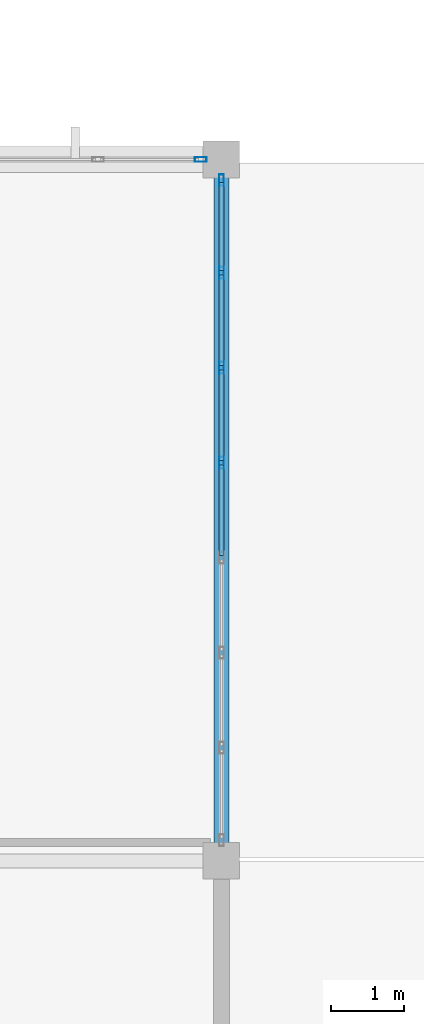
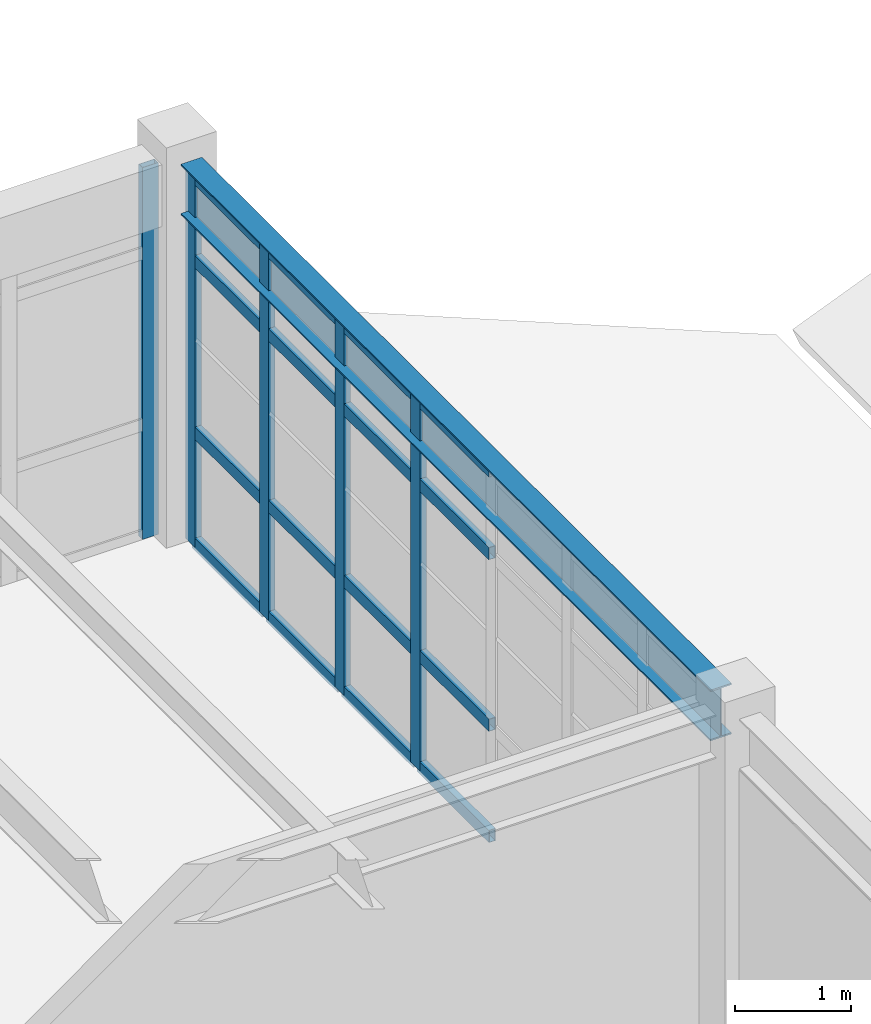
# One storey, part 22 of 83: 21 members, 1 beam, 2 elements without a shape of their own.
"""IFC4 building model written with IfcOpenShell, lengths in metres."""

import ifcopenshell
import ifcopenshell.guid

model = None  # the IFC model being written
_history = None  # IfcOwnerHistory: only IFC2X3 demands one
_inside = {}  # id of a spatial element -> (the spatial element, [elements in it])
_under = {}  # id of a project, library or spatial element -> (it, [spatial elements below it])
_declared = {}  # id of a project -> (the project, [libraries it declares])
_typed = {}  # id of a type object -> (the type object, [elements of that type])
_made_of = {}  # id of a material, layer set ... -> (it, [elements and type objects made of it])


def new_model(schema):
    """Start an empty IFC model of exactly this schema.

    Asked for "IFC4X3", IfcOpenShell would pick the latest addendum, in which some entities
    have other attributes; the version numbers below select the first issue.
    IFC2X3 requires an IfcOwnerHistory on every rooted entity: one is made here for all.
    """
    global model, _history
    if schema == "IFC4X3":
        model = ifcopenshell.file(schema_version=(4, 3, 0, 0))
    else:
        model = ifcopenshell.file(schema=schema)
    _inside.clear()
    _under.clear()
    _declared.clear()
    _typed.clear()
    _made_of.clear()
    _history = None
    if model.schema == "IFC2X3":
        org = make("IfcOrganization", Name="unknown")
        user = make(
            "IfcPersonAndOrganization",
            ThePerson=make("IfcPerson", FamilyName="unknown"),
            TheOrganization=org,
        )
        app = make(
            "IfcApplication",
            ApplicationDeveloper=org,
            Version="unknown",
            ApplicationFullName="unknown",
            ApplicationIdentifier="unknown",
        )
        _history = make(
            "IfcOwnerHistory",
            OwningUser=user,
            OwningApplication=app,
            ChangeAction="ADDED",
            CreationDate=0,
        )
    return model


def make(cls, **values):
    """One entity of the class cls with the attributes given. An attribute that is None is left unset."""
    return model.create_entity(
        cls, **{name: value for name, value in values.items() if value is not None}
    )


def rooted(cls, **values):
    """An entity with a GlobalId (a new one), such as an element, a storey or a relation."""
    return make(cls, GlobalId=ifcopenshell.guid.new(), OwnerHistory=_history, **values)


def si_unit(unit_type, name, prefix=None):
    """IfcSIUnit, for example si_unit("LENGTHUNIT", "METRE", prefix="MILLI")."""
    return make("IfcSIUnit", UnitType=unit_type, Prefix=prefix, Name=name)


def assignment(units):
    """IfcUnitAssignment: the units of a project."""
    return None if units is None else make("IfcUnitAssignment", Units=units)


def point(xyz):
    """IfcCartesianPoint."""
    return None if xyz is None else make("IfcCartesianPoint", Coordinates=xyz)


def direction(xyz):
    """IfcDirection."""
    return None if xyz is None else make("IfcDirection", DirectionRatios=xyz)


def frame(location, z_axis=None, x_axis=None):
    """IfcAxis2Placement3D, a coordinate frame: its origin and axes. An axis left out is left unset."""
    return make(
        "IfcAxis2Placement3D",
        Location=point(location),
        Axis=direction(z_axis),
        RefDirection=direction(x_axis),
    )


def frame_2d(location, x_axis=None):
    """IfcAxis2Placement2D, a coordinate frame in the plane: its origin and x axis."""
    return make(
        "IfcAxis2Placement2D", Location=point(location), RefDirection=direction(x_axis)
    )


def origin():
    """The frame at (0, 0, 0) with its axes left unset."""
    return frame((0.0, 0.0, 0.0))


def origin_2d():
    """The frame at (0, 0) in the plane with its x axis left unset."""
    return frame_2d((0.0, 0.0))


def place(relative_to, where):
    """IfcLocalPlacement: puts the frame where relative to a parent placement (None: the world)."""
    return make(
        "IfcLocalPlacement", PlacementRelTo=relative_to, RelativePlacement=where
    )


def context(
    kind, dimensions, precision=None, world=None, true_north=None, identifier=None
):
    """IfcGeometricRepresentationContext, for example the 3D "Model" context."""
    return make(
        "IfcGeometricRepresentationContext",
        ContextIdentifier=identifier,
        ContextType=kind,
        CoordinateSpaceDimension=dimensions,
        Precision=precision,
        WorldCoordinateSystem=world,
        TrueNorth=true_north,
    )


def subcontext(parent, identifier, kind, view, scale=None):
    """IfcGeometricRepresentationSubContext, for example "Body" below "Model"."""
    return make(
        "IfcGeometricRepresentationSubContext",
        ContextIdentifier=identifier,
        ContextType=kind,
        ParentContext=parent,
        TargetScale=scale,
        TargetView=view,
    )


def project(units=None, contexts=None):
    """IfcProject with its units and contexts."""
    return rooted(
        "IfcProject",
        Name="project",
        RepresentationContexts=contexts,
        UnitsInContext=assignment(units),
    )


def spatial(cls, under=None, at=None, **own):
    """A site, building, storey or space (cls), placed at a placement, below another one or the project."""
    s = rooted(cls, ObjectPlacement=at, **own)
    if under is not None:
        _under.setdefault(under.id(), (under, []))[1].append(s)
    return s


def profile(cls, at=None, kind="AREA", **sizes):
    """A parametric profile (cls). Its sizes go by their IFC names, for example OverallWidth=200.0."""
    return make(cls, ProfileType=kind, Position=at, **sizes)


def hollow_rectangle(**sizes):
    """IfcRectangleHollowProfileDef."""
    return profile("IfcRectangleHollowProfileDef", **sizes)


def i_section(**sizes):
    """IfcIShapeProfileDef."""
    return profile("IfcIShapeProfileDef", **sizes)


def extrude(swept, where, along, depth):
    """IfcExtrudedAreaSolid: the profile swept, set in the frame where, extruded along a direction by depth."""
    return make(
        "IfcExtrudedAreaSolid",
        SweptArea=swept,
        Position=where,
        ExtrudedDirection=direction(along),
        Depth=depth,
    )


def shape(context_of_items, identifier, shape_type, items):
    """IfcShapeRepresentation: the items that make up one representation, for example the "Body"."""
    return make(
        "IfcShapeRepresentation",
        ContextOfItems=context_of_items,
        RepresentationIdentifier=identifier,
        RepresentationType=shape_type,
        Items=items,
    )


def material(Name=None, Category=None):
    """IfcMaterial."""
    return make("IfcMaterial", Name=Name, Category=Category)


def layer(
    of_material, thickness, ventilated=None, Name=None, Category=None, Priority=None
):
    """IfcMaterialLayer: one layer of a wall or slab, of a material (None: an air gap)."""
    return make(
        "IfcMaterialLayer",
        Material=of_material,
        LayerThickness=thickness,
        IsVentilated=ventilated,
        Name=Name,
        Category=Category,
        Priority=Priority,
    )


def layer_set(layers, Name=None):
    """IfcMaterialLayerSet."""
    return make("IfcMaterialLayerSet", MaterialLayers=layers, LayerSetName=Name)


def material_profile(
    of_material, cross_section, Name=None, Category=None, Priority=None
):
    """IfcMaterialProfile: a cross section and its material."""
    return make(
        "IfcMaterialProfile",
        Name=Name,
        Material=of_material,
        Profile=cross_section,
        Priority=Priority,
        Category=Category,
    )


def profile_set(profiles, Name=None, composite=None):
    """IfcMaterialProfileSet."""
    return make(
        "IfcMaterialProfileSet",
        Name=Name,
        MaterialProfiles=profiles,
        CompositeProfile=composite,
    )


def made_of(thing, what):
    """Note that an element or type object is made of a material, layer set ...; save() writes the relation."""
    if what is not None:
        _made_of.setdefault(what.id(), (what, []))[1].append(thing)
    return thing


def type_object(cls, material=None, **own):
    """A type object (cls), such as IfcWallType, which elements share."""
    return made_of(rooted(cls, **own), material)


def element(
    cls,
    number,
    at=None,
    inside=None,
    cuts=None,
    type_object=None,
    material=None,
    context=None,
    identifier="Body",
    shape_type=None,
    held_by="IfcProductDefinitionShape",
    body=None,
    shapes=None,
    **own,
):
    """One element of the class cls, such as IfcWall. Its Tag is "e" and its number.

    at: its placement. inside: the storey or other place that contains it. cuts: it is an
    opening in that element (IfcRelVoidsElement). A single representation is given by context,
    identifier, shape_type and body (its items); several are given by shapes. held_by: the class
    of the entity that holds the representations. save() writes the other relations.
    """
    e = rooted(cls, Tag="e%d" % number, ObjectPlacement=at, **own)
    if body is not None:
        shapes = [shape(context, identifier, shape_type, body)]
    if shapes is not None:
        e.Representation = make(held_by, Representations=shapes)
    if inside is not None:
        _inside.setdefault(inside.id(), (inside, []))[1].append(e)
    if cuts is not None:
        rooted(
            "IfcRelVoidsElement", RelatingBuildingElement=cuts, RelatedOpeningElement=e
        )
    if type_object is not None:
        _typed.setdefault(type_object.id(), (type_object, []))[1].append(e)
    return made_of(e, material)


def aggregate(whole, parts):
    """IfcRelAggregates: a whole, such as a stair, and the parts it consists of."""
    return rooted("IfcRelAggregates", RelatingObject=whole, RelatedObjects=parts)


def save(model, path):
    """Write the relations noted so far, then the file.

    IfcRelAggregates (storeys below a building ...), IfcRelContainedInSpatialStructure (elements
    in a storey), IfcRelDefinesByType, IfcRelAssociatesMaterial and IfcRelDeclares: one each for
    every whole, place, type object, material and project.
    """
    for whole, parts in _under.values():
        aggregate(whole, parts)
    for where, things in _inside.values():
        rooted(
            "IfcRelContainedInSpatialStructure",
            RelatedElements=things,
            RelatingStructure=where,
        )
    for kind, things in _typed.values():
        rooted("IfcRelDefinesByType", RelatedObjects=things, RelatingType=kind)
    for what, things in _made_of.values():
        rooted("IfcRelAssociatesMaterial", RelatedObjects=things, RelatingMaterial=what)
    for by, libraries in _declared.values():
        rooted("IfcRelDeclares", RelatingContext=by, RelatedDefinitions=libraries)
    model.write(path)


model = new_model("IFC4")

# Units and contexts
model_context = context("Model", 3, precision=1e-05, world=origin(), true_north=direction((0.0, 1.0)))
body_context = subcontext(model_context, "Body", "Model", "MODEL_VIEW")
ifc_project = project(units=[si_unit("LENGTHUNIT", "METRE"), si_unit("AREAUNIT", "SQUARE_METRE"), si_unit("VOLUMEUNIT", "CUBIC_METRE"), si_unit("PLANEANGLEUNIT", "RADIAN"), si_unit("MASSUNIT", "GRAM", prefix="KILO")], contexts=[model_context])

# Site, building, storey
site_placement = place(None, origin())
site = spatial("IfcSite", under=ifc_project, at=site_placement, CompositionType="ELEMENT")
building_placement = place(site_placement, origin())
building = spatial("IfcBuilding", under=site, at=building_placement, Name="Pandanus Reach Market Hall", CompositionType="ELEMENT")
storey_placement = place(building_placement, frame((0.0, 0.0, 10.199951171875)))
storey = spatial("IfcBuildingStorey", under=building, at=storey_placement, Name="L02", CompositionType="ELEMENT", Elevation=10.199951171875)

# Beam
ifc_material_1 = material(Name="Steel Grade 350 (350 MPa)", Category="steel")
ifc_material_profile_1 = material_profile(ifc_material_1, i_section(OverallWidth=0.208984375, OverallDepth=0.532958984375, WebThickness=0.01025390625, FlangeThickness=0.015625, at=origin_2d()), Name="530UB92.4", Category="LoadBearing")
ifc_profile_set_1 = profile_set([ifc_material_profile_1], Name="Steel Grade 350 (350 MPa)")
beam_type = type_object("IfcBeamType", Name="BM-UB530-I", PredefinedType="BEAM", material=ifc_profile_set_1)
beam_placement = place(storey_placement, frame((24.0, 19.447998046875, 3.713134765625), z_axis=(0.0, 1.0, 0.0), x_axis=(-1.0, 0.0, 0.0)))
element("IfcBeam", 1, at=beam_placement, inside=storey, type_object=beam_type, Name="Framing beam BM-UB530-I L02.1027", PredefinedType="BEAM", context=body_context, shape_type="SweptSolid", body=[
    extrude(i_section(OverallWidth=0.208984375, OverallDepth=0.532958984375, WebThickness=0.01025390625, FlangeThickness=0.015625, at=origin_2d()), origin(), (0.0, 0.0, 1.0), 9.10400390625),
])

# Curtain wall, member
ifc_material_2 = material(Name="Bronze anodised aluminium and low-E glass", Category="aluminium")
ifc_layer_1 = layer(ifc_material_2, 0.159912109375, Name="CW-22")
ifc_layer_set_1 = layer_set([ifc_layer_1], Name="Bronze anodised aluminium and low-E glass")
curtain_wall_type_1 = type_object("IfcCurtainWallType", Name="CW-22", PredefinedType="NOTDEFINED", material=ifc_layer_set_1)
curtain_wall_1_placement = place(storey_placement, origin())
curtain_wall_1 = element("IfcCurtainWall", 2, at=curtain_wall_1_placement, inside=storey, type_object=curtain_wall_type_1, Name="Glazed curtain wall CW-22 CW-0066", PredefinedType="NOTDEFINED")
ifc_material_3 = material(Name="Bronze anodised aluminium", Category="aluminium")
ifc_material_profile_2 = material_profile(ifc_material_3, hollow_rectangle(XDim=0.06494140625, YDim=0.159912109375, WallThickness=0.00390625, at=origin_2d()), Name="ALU65x160", Category="LoadBearing")
ifc_profile_set_2 = profile_set([ifc_material_profile_2], Name="Bronze anodised aluminium")
member_type_1 = type_object("IfcMemberType", Name="CW-M1", PredefinedType="MULLION", material=ifc_profile_set_2)
member_1_placement = place(storey_placement, frame((23.717529296875, 28.800048828125, 0.0), z_axis=(0.0, 0.0, 1.0), x_axis=(0.0, 1.0, 0.0)))
member_1 = element("IfcMember", 3, at=member_1_placement, type_object=member_type_1, Name="CW-22 mullion 9", PredefinedType="MULLION", context=body_context, shape_type="SweptSolid", body=[
    extrude(hollow_rectangle(XDim=0.06494140625, YDim=0.159912109375, WallThickness=0.00390625, at=origin_2d()), origin(), (0.0, 0.0, 1.0), 3.900146484375),
])
aggregate(curtain_wall_1, [member_1])

# Curtain wall, members
ifc_layer_2 = layer(ifc_material_2, 0.159912109375, Name="CW-24")
ifc_layer_set_2 = layer_set([ifc_layer_2], Name="Bronze anodised aluminium and low-E glass")
curtain_wall_type_2 = type_object("IfcCurtainWallType", Name="CW-24", PredefinedType="NOTDEFINED", material=ifc_layer_set_2)
curtain_wall_2_placement = place(storey_placement, origin())
curtain_wall_2 = element("IfcCurtainWall", 4, at=curtain_wall_2_placement, inside=storey, type_object=curtain_wall_type_2, Name="Glazed curtain wall CW-24 CW-0069", PredefinedType="NOTDEFINED")
member_2_placement = place(storey_placement, frame((24.0, 24.64990234375, 0.0), z_axis=(0.0, 0.0, 1.0), x_axis=(-1.0, 0.0, 0.0)))
member_2 = element("IfcMember", 5, at=member_2_placement, type_object=member_type_1, Name="CW-24 mullion 5", PredefinedType="MULLION", context=body_context, shape_type="SweptSolid", body=[
    extrude(hollow_rectangle(XDim=0.06494140625, YDim=0.159912109375, WallThickness=0.00390625, at=origin_2d()), origin(), (0.0, 0.0, 1.0), 3.900146484375),
])
member_3_placement = place(storey_placement, frame((24.0, 25.949951171875, 0.0), z_axis=(0.0, 0.0, 1.0), x_axis=(-1.0, 0.0, 0.0)))
member_3 = element("IfcMember", 6, at=member_3_placement, type_object=member_type_1, Name="CW-24 mullion 6", PredefinedType="MULLION", context=body_context, shape_type="SweptSolid", body=[
    extrude(hollow_rectangle(XDim=0.06494140625, YDim=0.159912109375, WallThickness=0.00390625, at=origin_2d()), origin(), (0.0, 0.0, 1.0), 3.900146484375),
])
member_4_placement = place(storey_placement, frame((24.0, 27.25, 0.0), z_axis=(0.0, 0.0, 1.0), x_axis=(-1.0, 0.0, 0.0)))
member_4 = element("IfcMember", 7, at=member_4_placement, type_object=member_type_1, Name="CW-24 mullion 7", PredefinedType="MULLION", context=body_context, shape_type="SweptSolid", body=[
    extrude(hollow_rectangle(XDim=0.06494140625, YDim=0.159912109375, WallThickness=0.00390625, at=origin_2d()), origin(), (0.0, 0.0, 1.0), 3.900146484375),
])
member_5_placement = place(storey_placement, frame((24.0, 28.517578125, 0.0), z_axis=(0.0, 0.0, 1.0), x_axis=(-1.0, 0.0, 0.0)))
member_5 = element("IfcMember", 8, at=member_5_placement, type_object=member_type_1, Name="CW-24 mullion 8", PredefinedType="MULLION", context=body_context, shape_type="SweptSolid", body=[
    extrude(hollow_rectangle(XDim=0.06494140625, YDim=0.159912109375, WallThickness=0.00390625, at=origin_2d()), origin(), (0.0, 0.0, 1.0), 3.900146484375),
])
ifc_material_profile_3 = material_profile(ifc_material_3, hollow_rectangle(XDim=0.06494140625, YDim=0.1298828125, WallThickness=0.00390625, at=origin_2d()), Name="ALU65x130", Category="LoadBearing")
ifc_profile_set_3 = profile_set([ifc_material_profile_3], Name="Bronze anodised aluminium")
member_type_2 = type_object("IfcMemberType", Name="CW-T1", PredefinedType="USERDEFINED", material=ifc_profile_set_3)
member_6_placement = place(storey_placement, frame((24.0, 23.382568359375, 0.032470703125), z_axis=(0.0, 1.0, 0.0), x_axis=(-1.0, 0.0, 0.0)))
member_6 = element("IfcMember", 9, at=member_6_placement, type_object=member_type_2, Name="CW-24 transom 4.1", ObjectType="TRANSOM", PredefinedType="USERDEFINED", context=body_context, shape_type="SweptSolid", body=[
    extrude(hollow_rectangle(XDim=0.06494140625, YDim=0.1298828125, WallThickness=0.00390625, at=origin_2d()), origin(), (0.0, 0.0, 1.0), 1.23486328125),
])
member_7_placement = place(storey_placement, frame((24.0, 23.382568359375, 1.199951171875), z_axis=(0.0, 1.0, 0.0), x_axis=(-1.0, 0.0, 0.0)))
member_7 = element("IfcMember", 10, at=member_7_placement, type_object=member_type_2, Name="CW-24 transom 4.2", ObjectType="TRANSOM", PredefinedType="USERDEFINED", context=body_context, shape_type="SweptSolid", body=[
    extrude(hollow_rectangle(XDim=0.06494140625, YDim=0.1298828125, WallThickness=0.00390625, at=origin_2d()), origin(), (0.0, 0.0, 1.0), 1.23486328125),
])
member_8_placement = place(storey_placement, frame((24.0, 23.382568359375, 3.0), z_axis=(0.0, 1.0, 0.0), x_axis=(-1.0, 0.0, 0.0)))
member_8 = element("IfcMember", 11, at=member_8_placement, type_object=member_type_2, Name="CW-24 transom 4.3", ObjectType="TRANSOM", PredefinedType="USERDEFINED", context=body_context, shape_type="SweptSolid", body=[
    extrude(hollow_rectangle(XDim=0.06494140625, YDim=0.1298828125, WallThickness=0.00390625, at=origin_2d()), origin(), (0.0, 0.0, 1.0), 1.23486328125),
])
member_9_placement = place(storey_placement, frame((24.0, 23.382568359375, 3.867431640625), z_axis=(0.0, 1.0, 0.0), x_axis=(-1.0, 0.0, 0.0)))
member_9 = element("IfcMember", 12, at=member_9_placement, type_object=member_type_2, Name="CW-24 transom 4.4", ObjectType="TRANSOM", PredefinedType="USERDEFINED", context=body_context, shape_type="SweptSolid", body=[
    extrude(hollow_rectangle(XDim=0.06494140625, YDim=0.1298828125, WallThickness=0.00390625, at=origin_2d()), origin(), (0.0, 0.0, 1.0), 1.23486328125),
])
member_10_placement = place(storey_placement, frame((24.0, 24.6826171875, 0.032470703125), z_axis=(0.0, 1.0, 0.0), x_axis=(-1.0, 0.0, 0.0)))
member_10 = element("IfcMember", 13, at=member_10_placement, type_object=member_type_2, Name="CW-24 transom 5.1", ObjectType="TRANSOM", PredefinedType="USERDEFINED", context=body_context, shape_type="SweptSolid", body=[
    extrude(hollow_rectangle(XDim=0.06494140625, YDim=0.1298828125, WallThickness=0.00390625, at=origin_2d()), origin(), (0.0, 0.0, 1.0), 1.23486328125),
])
member_11_placement = place(storey_placement, frame((24.0, 24.6826171875, 1.199951171875), z_axis=(0.0, 1.0, 0.0), x_axis=(-1.0, 0.0, 0.0)))
member_11 = element("IfcMember", 14, at=member_11_placement, type_object=member_type_2, Name="CW-24 transom 5.2", ObjectType="TRANSOM", PredefinedType="USERDEFINED", context=body_context, shape_type="SweptSolid", body=[
    extrude(hollow_rectangle(XDim=0.06494140625, YDim=0.1298828125, WallThickness=0.00390625, at=origin_2d()), origin(), (0.0, 0.0, 1.0), 1.23486328125),
])
member_12_placement = place(storey_placement, frame((24.0, 24.6826171875, 3.0), z_axis=(0.0, 1.0, 0.0), x_axis=(-1.0, 0.0, 0.0)))
member_12 = element("IfcMember", 15, at=member_12_placement, type_object=member_type_2, Name="CW-24 transom 5.3", ObjectType="TRANSOM", PredefinedType="USERDEFINED", context=body_context, shape_type="SweptSolid", body=[
    extrude(hollow_rectangle(XDim=0.06494140625, YDim=0.1298828125, WallThickness=0.00390625, at=origin_2d()), origin(), (0.0, 0.0, 1.0), 1.23486328125),
])
member_13_placement = place(storey_placement, frame((24.0, 24.6826171875, 3.867431640625), z_axis=(0.0, 1.0, 0.0), x_axis=(-1.0, 0.0, 0.0)))
member_13 = element("IfcMember", 16, at=member_13_placement, type_object=member_type_2, Name="CW-24 transom 5.4", ObjectType="TRANSOM", PredefinedType="USERDEFINED", context=body_context, shape_type="SweptSolid", body=[
    extrude(hollow_rectangle(XDim=0.06494140625, YDim=0.1298828125, WallThickness=0.00390625, at=origin_2d()), origin(), (0.0, 0.0, 1.0), 1.23486328125),
])
member_14_placement = place(storey_placement, frame((24.0, 25.982421875, 0.032470703125), z_axis=(0.0, 1.0, 0.0), x_axis=(-1.0, 0.0, 0.0)))
member_14 = element("IfcMember", 17, at=member_14_placement, type_object=member_type_2, Name="CW-24 transom 6.1", ObjectType="TRANSOM", PredefinedType="USERDEFINED", context=body_context, shape_type="SweptSolid", body=[
    extrude(hollow_rectangle(XDim=0.06494140625, YDim=0.1298828125, WallThickness=0.00390625, at=origin_2d()), origin(), (0.0, 0.0, 1.0), 1.235107421875),
])
member_15_placement = place(storey_placement, frame((24.0, 25.982421875, 1.199951171875), z_axis=(0.0, 1.0, 0.0), x_axis=(-1.0, 0.0, 0.0)))
member_15 = element("IfcMember", 18, at=member_15_placement, type_object=member_type_2, Name="CW-24 transom 6.2", ObjectType="TRANSOM", PredefinedType="USERDEFINED", context=body_context, shape_type="SweptSolid", body=[
    extrude(hollow_rectangle(XDim=0.06494140625, YDim=0.1298828125, WallThickness=0.00390625, at=origin_2d()), origin(), (0.0, 0.0, 1.0), 1.235107421875),
])
member_16_placement = place(storey_placement, frame((24.0, 25.982421875, 3.0), z_axis=(0.0, 1.0, 0.0), x_axis=(-1.0, 0.0, 0.0)))
member_16 = element("IfcMember", 19, at=member_16_placement, type_object=member_type_2, Name="CW-24 transom 6.3", ObjectType="TRANSOM", PredefinedType="USERDEFINED", context=body_context, shape_type="SweptSolid", body=[
    extrude(hollow_rectangle(XDim=0.06494140625, YDim=0.1298828125, WallThickness=0.00390625, at=origin_2d()), origin(), (0.0, 0.0, 1.0), 1.235107421875),
])
member_17_placement = place(storey_placement, frame((24.0, 25.982421875, 3.867431640625), z_axis=(0.0, 1.0, 0.0), x_axis=(-1.0, 0.0, 0.0)))
member_17 = element("IfcMember", 20, at=member_17_placement, type_object=member_type_2, Name="CW-24 transom 6.4", ObjectType="TRANSOM", PredefinedType="USERDEFINED", context=body_context, shape_type="SweptSolid", body=[
    extrude(hollow_rectangle(XDim=0.06494140625, YDim=0.1298828125, WallThickness=0.00390625, at=origin_2d()), origin(), (0.0, 0.0, 1.0), 1.235107421875),
])
member_18_placement = place(storey_placement, frame((24.0, 27.282470703125, 0.032470703125), z_axis=(0.0, 1.0, 0.0), x_axis=(-1.0, 0.0, 0.0)))
member_18 = element("IfcMember", 21, at=member_18_placement, type_object=member_type_2, Name="CW-24 transom 7.1", ObjectType="TRANSOM", PredefinedType="USERDEFINED", context=body_context, shape_type="SweptSolid", body=[
    extrude(hollow_rectangle(XDim=0.06494140625, YDim=0.1298828125, WallThickness=0.00390625, at=origin_2d()), origin(), (0.0, 0.0, 1.0), 1.20263671875),
])
member_19_placement = place(storey_placement, frame((24.0, 27.282470703125, 1.199951171875), z_axis=(0.0, 1.0, 0.0), x_axis=(-1.0, 0.0, 0.0)))
member_19 = element("IfcMember", 22, at=member_19_placement, type_object=member_type_2, Name="CW-24 transom 7.2", ObjectType="TRANSOM", PredefinedType="USERDEFINED", context=body_context, shape_type="SweptSolid", body=[
    extrude(hollow_rectangle(XDim=0.06494140625, YDim=0.1298828125, WallThickness=0.00390625, at=origin_2d()), origin(), (0.0, 0.0, 1.0), 1.20263671875),
])
member_20_placement = place(storey_placement, frame((24.0, 27.282470703125, 3.0), z_axis=(0.0, 1.0, 0.0), x_axis=(-1.0, 0.0, 0.0)))
member_20 = element("IfcMember", 23, at=member_20_placement, type_object=member_type_2, Name="CW-24 transom 7.3", ObjectType="TRANSOM", PredefinedType="USERDEFINED", context=body_context, shape_type="SweptSolid", body=[
    extrude(hollow_rectangle(XDim=0.06494140625, YDim=0.1298828125, WallThickness=0.00390625, at=origin_2d()), origin(), (0.0, 0.0, 1.0), 1.20263671875),
])
member_21_placement = place(storey_placement, frame((24.0, 27.282470703125, 3.867431640625), z_axis=(0.0, 1.0, 0.0), x_axis=(-1.0, 0.0, 0.0)))
member_21 = element("IfcMember", 24, at=member_21_placement, type_object=member_type_2, Name="CW-24 transom 7.4", ObjectType="TRANSOM", PredefinedType="USERDEFINED", context=body_context, shape_type="SweptSolid", body=[
    extrude(hollow_rectangle(XDim=0.06494140625, YDim=0.1298828125, WallThickness=0.00390625, at=origin_2d()), origin(), (0.0, 0.0, 1.0), 1.20263671875),
])
aggregate(curtain_wall_2, [member_2, member_3, member_4, member_5, member_6, member_7, member_8, member_9, member_10, member_11, member_12, member_13, member_14, member_15, member_16, member_17, member_18, member_19, member_20, member_21])

save(model, "model.ifc")
